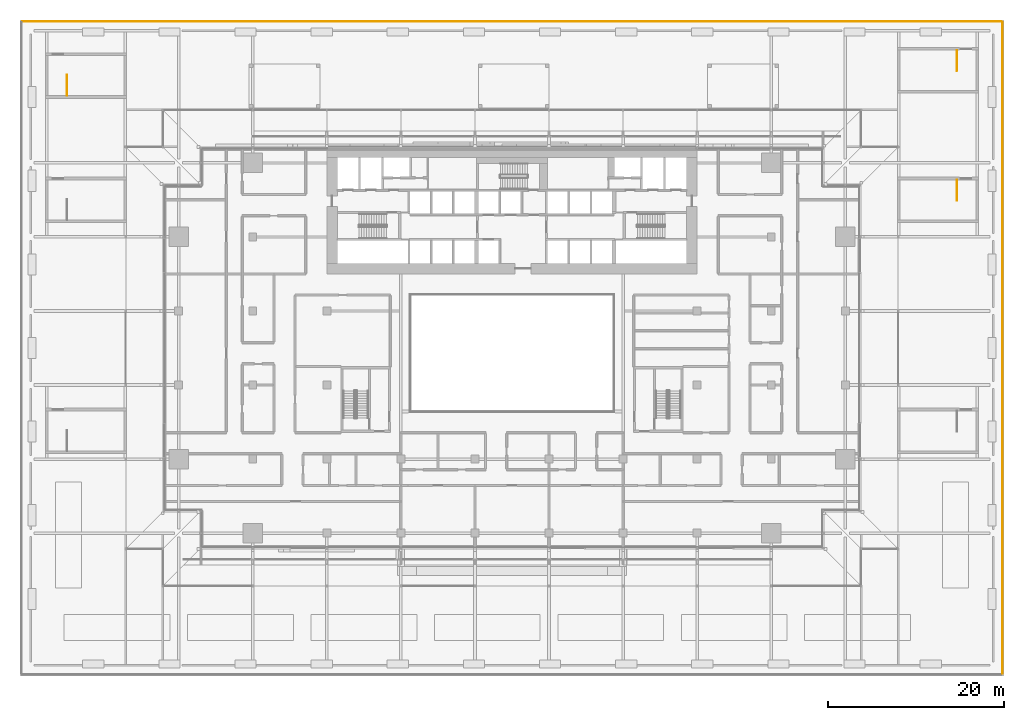
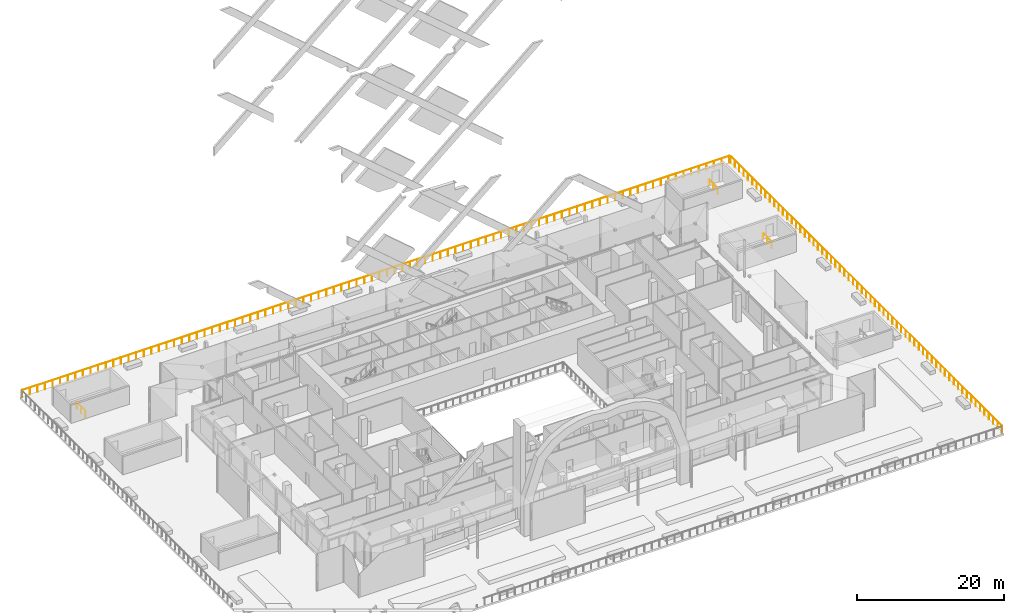
# One storey, part 59 of 60: 5 railings.
"""IFC4 building model written with IfcOpenShell, lengths in metres."""

from ifc_helpers import new_model, si_unit, direction, frame, origin, origin_2d, place, context, subcontext, project, spatial, circle, extrude, material, type_object, element, save


model = new_model("IFC4")

# Units and contexts
model_context = context("Model", 3, precision=1e-05, world=origin(), true_north=direction((0.0, 1.0)))
body_context = subcontext(model_context, "Body", "Model", "MODEL_VIEW")
ifc_project = project(units=[si_unit("LENGTHUNIT", "METRE"), si_unit("AREAUNIT", "SQUARE_METRE"), si_unit("VOLUMEUNIT", "CUBIC_METRE"), si_unit("PLANEANGLEUNIT", "RADIAN"), si_unit("MASSUNIT", "GRAM", prefix="KILO")], contexts=[model_context])

# Site, building, storey
site_placement = place(None, origin())
site = spatial("IfcSite", under=ifc_project, at=site_placement, CompositionType="ELEMENT")
building_placement = place(site_placement, origin())
building = spatial("IfcBuilding", under=site, at=building_placement, Name="Saffron Gate Tower", CompositionType="ELEMENT")
storey_placement = place(building_placement, frame((0.0, 0.0, 19.199951171875)))
storey = spatial("IfcBuildingStorey", under=building, at=storey_placement, Name="L03", CompositionType="ELEMENT", Elevation=19.199951171875)

# Railings
ifc_material = material(Name="Stainless steel and laminated glass", Category="steel")
railing_type = type_object("IfcRailingType", Name="CR1 Stair guard 1100", PredefinedType="GUARDRAIL", material=ifc_material)
railing_1_placement = place(storey_placement, frame((37.14990234375, 81.425048828125, 0.0)))
element("IfcRailing", 1, at=railing_1_placement, inside=storey, type_object=railing_type, Name="L03 ST-F top well guard 1", PredefinedType="GUARDRAIL", context=body_context, shape_type="SweptSolid", body=[
    extrude(circle(Radius=0.02392578125, at=origin_2d()), frame((0.0, 0.0, 1.076171875), z_axis=(0.0, 1.0, 0.0), x_axis=(-1.0, 0.0, 0.0)), (0.0, 0.0, 1.0), 2.349853515625),
    extrude(circle(Radius=0.02099609375, at=origin_2d()), origin(), (0.0, 0.0, 1.0), 1.052001953125),
    extrude(circle(Radius=0.02099609375, at=origin_2d()), frame((0.0, 1.1748046875, 0.0)), (0.0, 0.0, 1.0), 1.052001953125),
    extrude(circle(Radius=0.02099609375, at=origin_2d()), frame((0.0, 2.349853515625, 0.0)), (0.0, 0.0, 1.0), 1.052001953125),
])
railing_2_placement = place(storey_placement, frame((138.050048828125, 86.574951171875, 0.0)))
element("IfcRailing", 2, at=railing_2_placement, inside=storey, type_object=railing_type, Name="L03 ST-I top well guard 1", PredefinedType="GUARDRAIL", context=body_context, shape_type="SweptSolid", body=[
    extrude(circle(Radius=0.02392578125, at=origin_2d()), frame((0.0, 0.0, 1.076171875), z_axis=(0.0, -1.0, 0.0), x_axis=(1.0, 0.0, 0.0)), (0.0, 0.0, 1.0), 2.349853515625),
    extrude(circle(Radius=0.02099609375, at=origin_2d()), origin(), (0.0, 0.0, 1.0), 1.052001953125),
    extrude(circle(Radius=0.02099609375, at=origin_2d()), frame((0.0, -1.1748046875, 0.0)), (0.0, 0.0, 1.0), 1.052001953125),
    extrude(circle(Radius=0.02099609375, at=origin_2d()), frame((0.0, -2.349853515625, 0.0)), (0.0, 0.0, 1.0), 1.052001953125),
])
railing_3_placement = place(storey_placement, frame((138.050048828125, 71.875, 0.0)))
element("IfcRailing", 3, at=railing_3_placement, inside=storey, type_object=railing_type, Name="L03 ST-J top well guard 1", PredefinedType="GUARDRAIL", context=body_context, shape_type="SweptSolid", body=[
    extrude(circle(Radius=0.02392578125, at=origin_2d()), frame((0.0, 0.0, 1.076171875), z_axis=(0.0, -1.0, 0.0), x_axis=(1.0, 0.0, 0.0)), (0.0, 0.0, 1.0), 2.35009765625),
    extrude(circle(Radius=0.02099609375, at=origin_2d()), origin(), (0.0, 0.0, 1.0), 1.052001953125),
    extrude(circle(Radius=0.02099609375, at=origin_2d()), frame((0.0, -1.175048828125, 0.0)), (0.0, 0.0, 1.0), 1.052001953125),
    extrude(circle(Radius=0.02099609375, at=origin_2d()), frame((0.0, -2.35009765625, 0.0)), (0.0, 0.0, 1.0), 1.052001953125),
])
railing_4_placement = place(storey_placement, frame((143.25, 15.8701171875, 0.0)))
element("IfcRailing", 4, at=railing_4_placement, inside=storey, Name="GUARD play deck", PredefinedType="GUARDRAIL", context=body_context, shape_type="SweptSolid", body=[
    extrude(circle(Radius=0.02392578125, at=origin_2d()), frame((0.0, 0.0, 1.17578125), z_axis=(0.0, 1.0, 0.0), x_axis=(-1.0, 0.0, 0.0)), (0.0, 0.0, 1.0), 73.85986328125),
    extrude(circle(Radius=0.02099609375, at=origin_2d()), origin(), (0.0, 0.0, 1.0), 1.15185546875),
    extrude(circle(Radius=0.02099609375, at=origin_2d()), frame((0.0, 1.19140625, 0.0)), (0.0, 0.0, 1.0), 1.15185546875),
    extrude(circle(Radius=0.02099609375, at=origin_2d()), frame((0.0, 2.382568359375, 0.0)), (0.0, 0.0, 1.0), 1.15185546875),
    extrude(circle(Radius=0.02099609375, at=origin_2d()), frame((0.0, 3.573974609375, 0.0)), (0.0, 0.0, 1.0), 1.15185546875),
    extrude(circle(Radius=0.02099609375, at=origin_2d()), frame((0.0, 4.76513671875, 0.0)), (0.0, 0.0, 1.0), 1.15185546875),
    extrude(circle(Radius=0.02099609375, at=origin_2d()), frame((0.0, 5.95654296875, 0.0)), (0.0, 0.0, 1.0), 1.15185546875),
    extrude(circle(Radius=0.02099609375, at=origin_2d()), frame((0.0, 7.147705078125, 0.0)), (0.0, 0.0, 1.0), 1.15185546875),
    extrude(circle(Radius=0.02099609375, at=origin_2d()), frame((0.0, 8.339111328125, 0.0)), (0.0, 0.0, 1.0), 1.15185546875),
    extrude(circle(Radius=0.02099609375, at=origin_2d()), frame((0.0, 9.5302734375, 0.0)), (0.0, 0.0, 1.0), 1.15185546875),
    extrude(circle(Radius=0.02099609375, at=origin_2d()), frame((0.0, 10.7216796875, 0.0)), (0.0, 0.0, 1.0), 1.15185546875),
    extrude(circle(Radius=0.02099609375, at=origin_2d()), frame((0.0, 11.912841796875, 0.0)), (0.0, 0.0, 1.0), 1.15185546875),
    extrude(circle(Radius=0.02099609375, at=origin_2d()), frame((0.0, 13.104248046875, 0.0)), (0.0, 0.0, 1.0), 1.15185546875),
    extrude(circle(Radius=0.02099609375, at=origin_2d()), frame((0.0, 14.29541015625, 0.0)), (0.0, 0.0, 1.0), 1.15185546875),
    extrude(circle(Radius=0.02099609375, at=origin_2d()), frame((0.0, 15.48681640625, 0.0)), (0.0, 0.0, 1.0), 1.15185546875),
    extrude(circle(Radius=0.02099609375, at=origin_2d()), frame((0.0, 16.677978515625, 0.0)), (0.0, 0.0, 1.0), 1.15185546875),
    extrude(circle(Radius=0.02099609375, at=origin_2d()), frame((0.0, 17.869384765625, 0.0)), (0.0, 0.0, 1.0), 1.15185546875),
    extrude(circle(Radius=0.02099609375, at=origin_2d()), frame((0.0, 19.060546875, 0.0)), (0.0, 0.0, 1.0), 1.15185546875),
    extrude(circle(Radius=0.02099609375, at=origin_2d()), frame((0.0, 20.251953125, 0.0)), (0.0, 0.0, 1.0), 1.15185546875),
    extrude(circle(Radius=0.02099609375, at=origin_2d()), frame((0.0, 21.443115234375, 0.0)), (0.0, 0.0, 1.0), 1.15185546875),
    extrude(circle(Radius=0.02099609375, at=origin_2d()), frame((0.0, 22.634521484375, 0.0)), (0.0, 0.0, 1.0), 1.15185546875),
    extrude(circle(Radius=0.02099609375, at=origin_2d()), frame((0.0, 23.82568359375, 0.0)), (0.0, 0.0, 1.0), 1.15185546875),
    extrude(circle(Radius=0.02099609375, at=origin_2d()), frame((0.0, 25.01708984375, 0.0)), (0.0, 0.0, 1.0), 1.15185546875),
    extrude(circle(Radius=0.02099609375, at=origin_2d()), frame((0.0, 26.208251953125, 0.0)), (0.0, 0.0, 1.0), 1.15185546875),
    extrude(circle(Radius=0.02099609375, at=origin_2d()), frame((0.0, 27.399658203125, 0.0)), (0.0, 0.0, 1.0), 1.15185546875),
    extrude(circle(Radius=0.02099609375, at=origin_2d()), frame((0.0, 28.5908203125, 0.0)), (0.0, 0.0, 1.0), 1.15185546875),
    extrude(circle(Radius=0.02099609375, at=origin_2d()), frame((0.0, 29.7822265625, 0.0)), (0.0, 0.0, 1.0), 1.15185546875),
    extrude(circle(Radius=0.02099609375, at=origin_2d()), frame((0.0, 30.973388671875, 0.0)), (0.0, 0.0, 1.0), 1.15185546875),
    extrude(circle(Radius=0.02099609375, at=origin_2d()), frame((0.0, 32.164794921875, 0.0)), (0.0, 0.0, 1.0), 1.15185546875),
    extrude(circle(Radius=0.02099609375, at=origin_2d()), frame((0.0, 33.35595703125, 0.0)), (0.0, 0.0, 1.0), 1.15185546875),
    extrude(circle(Radius=0.02099609375, at=origin_2d()), frame((0.0, 34.54736328125, 0.0)), (0.0, 0.0, 1.0), 1.15185546875),
    extrude(circle(Radius=0.02099609375, at=origin_2d()), frame((0.0, 35.738525390625, 0.0)), (0.0, 0.0, 1.0), 1.15185546875),
    extrude(circle(Radius=0.02099609375, at=origin_2d()), frame((0.0, 36.929931640625, 0.0)), (0.0, 0.0, 1.0), 1.15185546875),
    extrude(circle(Radius=0.02099609375, at=origin_2d()), frame((0.0, 38.121337890625, 0.0)), (0.0, 0.0, 1.0), 1.15185546875),
    extrude(circle(Radius=0.02099609375, at=origin_2d()), frame((0.0, 39.3125, 0.0)), (0.0, 0.0, 1.0), 1.15185546875),
    extrude(circle(Radius=0.02099609375, at=origin_2d()), frame((0.0, 40.50390625, 0.0)), (0.0, 0.0, 1.0), 1.15185546875),
    extrude(circle(Radius=0.02099609375, at=origin_2d()), frame((0.0, 41.695068359375, 0.0)), (0.0, 0.0, 1.0), 1.15185546875),
    extrude(circle(Radius=0.02099609375, at=origin_2d()), frame((0.0, 42.886474609375, 0.0)), (0.0, 0.0, 1.0), 1.15185546875),
    extrude(circle(Radius=0.02099609375, at=origin_2d()), frame((0.0, 44.07763671875, 0.0)), (0.0, 0.0, 1.0), 1.15185546875),
    extrude(circle(Radius=0.02099609375, at=origin_2d()), frame((0.0, 45.26904296875, 0.0)), (0.0, 0.0, 1.0), 1.15185546875),
    extrude(circle(Radius=0.02099609375, at=origin_2d()), frame((0.0, 46.460205078125, 0.0)), (0.0, 0.0, 1.0), 1.15185546875),
    extrude(circle(Radius=0.02099609375, at=origin_2d()), frame((0.0, 47.651611328125, 0.0)), (0.0, 0.0, 1.0), 1.15185546875),
    extrude(circle(Radius=0.02099609375, at=origin_2d()), frame((0.0, 48.8427734375, 0.0)), (0.0, 0.0, 1.0), 1.15185546875),
    extrude(circle(Radius=0.02099609375, at=origin_2d()), frame((0.0, 50.0341796875, 0.0)), (0.0, 0.0, 1.0), 1.15185546875),
    extrude(circle(Radius=0.02099609375, at=origin_2d()), frame((0.0, 51.225341796875, 0.0)), (0.0, 0.0, 1.0), 1.15185546875),
    extrude(circle(Radius=0.02099609375, at=origin_2d()), frame((0.0, 52.416748046875, 0.0)), (0.0, 0.0, 1.0), 1.15185546875),
    extrude(circle(Radius=0.02099609375, at=origin_2d()), frame((0.0, 53.60791015625, 0.0)), (0.0, 0.0, 1.0), 1.15185546875),
    extrude(circle(Radius=0.02099609375, at=origin_2d()), frame((0.0, 54.79931640625, 0.0)), (0.0, 0.0, 1.0), 1.15185546875),
    extrude(circle(Radius=0.02099609375, at=origin_2d()), frame((0.0, 55.990478515625, 0.0)), (0.0, 0.0, 1.0), 1.15185546875),
    extrude(circle(Radius=0.02099609375, at=origin_2d()), frame((0.0, 57.181884765625, 0.0)), (0.0, 0.0, 1.0), 1.15185546875),
    extrude(circle(Radius=0.02099609375, at=origin_2d()), frame((0.0, 58.373046875, 0.0)), (0.0, 0.0, 1.0), 1.15185546875),
    extrude(circle(Radius=0.02099609375, at=origin_2d()), frame((0.0, 59.564453125, 0.0)), (0.0, 0.0, 1.0), 1.15185546875),
    extrude(circle(Radius=0.02099609375, at=origin_2d()), frame((0.0, 60.755615234375, 0.0)), (0.0, 0.0, 1.0), 1.15185546875),
    extrude(circle(Radius=0.02099609375, at=origin_2d()), frame((0.0, 61.947021484375, 0.0)), (0.0, 0.0, 1.0), 1.15185546875),
    extrude(circle(Radius=0.02099609375, at=origin_2d()), frame((0.0, 63.13818359375, 0.0)), (0.0, 0.0, 1.0), 1.15185546875),
    extrude(circle(Radius=0.02099609375, at=origin_2d()), frame((0.0, 64.32958984375, 0.0)), (0.0, 0.0, 1.0), 1.15185546875),
    extrude(circle(Radius=0.02099609375, at=origin_2d()), frame((0.0, 65.520751953125, 0.0)), (0.0, 0.0, 1.0), 1.15185546875),
    extrude(circle(Radius=0.02099609375, at=origin_2d()), frame((0.0, 66.712158203125, 0.0)), (0.0, 0.0, 1.0), 1.15185546875),
    extrude(circle(Radius=0.02099609375, at=origin_2d()), frame((0.0, 67.9033203125, 0.0)), (0.0, 0.0, 1.0), 1.15185546875),
    extrude(circle(Radius=0.02099609375, at=origin_2d()), frame((0.0, 69.0947265625, 0.0)), (0.0, 0.0, 1.0), 1.15185546875),
    extrude(circle(Radius=0.02099609375, at=origin_2d()), frame((0.0, 70.285888671875, 0.0)), (0.0, 0.0, 1.0), 1.15185546875),
    extrude(circle(Radius=0.02099609375, at=origin_2d()), frame((0.0, 71.477294921875, 0.0)), (0.0, 0.0, 1.0), 1.15185546875),
    extrude(circle(Radius=0.02099609375, at=origin_2d()), frame((0.0, 72.66845703125, 0.0)), (0.0, 0.0, 1.0), 1.15185546875),
    extrude(circle(Radius=0.02099609375, at=origin_2d()), frame((0.0, 73.85986328125, 0.0)), (0.0, 0.0, 1.0), 1.15185546875),
])
railing_5_placement = place(storey_placement, frame((143.1298828125, 89.85009765625, 0.0)))
element("IfcRailing", 5, at=railing_5_placement, inside=storey, Name="GUARD play deck", PredefinedType="GUARDRAIL", context=body_context, shape_type="SweptSolid", body=[
    extrude(circle(Radius=0.02392578125, at=origin_2d()), frame((0.0, 0.0, 1.17578125), z_axis=(-1.0, 0.0, 0.0), x_axis=(0.0, -1.0, 0.0)), (0.0, 0.0, 1.0), 111.059814453125),
    extrude(circle(Radius=0.02099609375, at=origin_2d()), origin(), (0.0, 0.0, 1.0), 1.15185546875),
    extrude(circle(Radius=0.02099609375, at=origin_2d()), frame((-1.194091796875, 0.0, 0.0)), (0.0, 0.0, 1.0), 1.15185546875),
    extrude(circle(Radius=0.02099609375, at=origin_2d()), frame((-2.388427734375, 0.0, 0.0)), (0.0, 0.0, 1.0), 1.15185546875),
    extrude(circle(Radius=0.02099609375, at=origin_2d()), frame((-3.58251953125, 0.0, 0.0)), (0.0, 0.0, 1.0), 1.15185546875),
    extrude(circle(Radius=0.02099609375, at=origin_2d()), frame((-4.77685546875, 0.0, 0.0)), (0.0, 0.0, 1.0), 1.15185546875),
    extrude(circle(Radius=0.02099609375, at=origin_2d()), frame((-5.970947265625, 0.0, 0.0)), (0.0, 0.0, 1.0), 1.15185546875),
    extrude(circle(Radius=0.02099609375, at=origin_2d()), frame((-7.1650390625, 0.0, 0.0)), (0.0, 0.0, 1.0), 1.15185546875),
    extrude(circle(Radius=0.02099609375, at=origin_2d()), frame((-8.359375, 0.0, 0.0)), (0.0, 0.0, 1.0), 1.15185546875),
    extrude(circle(Radius=0.02099609375, at=origin_2d()), frame((-9.553466796875, 0.0, 0.0)), (0.0, 0.0, 1.0), 1.15185546875),
    extrude(circle(Radius=0.02099609375, at=origin_2d()), frame((-10.747802734375, 0.0, 0.0)), (0.0, 0.0, 1.0), 1.15185546875),
    extrude(circle(Radius=0.02099609375, at=origin_2d()), frame((-11.94189453125, 0.0, 0.0)), (0.0, 0.0, 1.0), 1.15185546875),
    extrude(circle(Radius=0.02099609375, at=origin_2d()), frame((-13.135986328125, 0.0, 0.0)), (0.0, 0.0, 1.0), 1.15185546875),
    extrude(circle(Radius=0.02099609375, at=origin_2d()), frame((-14.330322265625, 0.0, 0.0)), (0.0, 0.0, 1.0), 1.15185546875),
    extrude(circle(Radius=0.02099609375, at=origin_2d()), frame((-15.5244140625, 0.0, 0.0)), (0.0, 0.0, 1.0), 1.15185546875),
    extrude(circle(Radius=0.02099609375, at=origin_2d()), frame((-16.71875, 0.0, 0.0)), (0.0, 0.0, 1.0), 1.15185546875),
    extrude(circle(Radius=0.02099609375, at=origin_2d()), frame((-17.912841796875, 0.0, 0.0)), (0.0, 0.0, 1.0), 1.15185546875),
    extrude(circle(Radius=0.02099609375, at=origin_2d()), frame((-19.107177734375, 0.0, 0.0)), (0.0, 0.0, 1.0), 1.15185546875),
    extrude(circle(Radius=0.02099609375, at=origin_2d()), frame((-20.30126953125, 0.0, 0.0)), (0.0, 0.0, 1.0), 1.15185546875),
    extrude(circle(Radius=0.02099609375, at=origin_2d()), frame((-21.495361328125, 0.0, 0.0)), (0.0, 0.0, 1.0), 1.15185546875),
    extrude(circle(Radius=0.02099609375, at=origin_2d()), frame((-22.689697265625, 0.0, 0.0)), (0.0, 0.0, 1.0), 1.15185546875),
    extrude(circle(Radius=0.02099609375, at=origin_2d()), frame((-23.8837890625, 0.0, 0.0)), (0.0, 0.0, 1.0), 1.15185546875),
    extrude(circle(Radius=0.02099609375, at=origin_2d()), frame((-25.078125, 0.0, 0.0)), (0.0, 0.0, 1.0), 1.15185546875),
    extrude(circle(Radius=0.02099609375, at=origin_2d()), frame((-26.272216796875, 0.0, 0.0)), (0.0, 0.0, 1.0), 1.15185546875),
    extrude(circle(Radius=0.02099609375, at=origin_2d()), frame((-27.46630859375, 0.0, 0.0)), (0.0, 0.0, 1.0), 1.15185546875),
    extrude(circle(Radius=0.02099609375, at=origin_2d()), frame((-28.66064453125, 0.0, 0.0)), (0.0, 0.0, 1.0), 1.15185546875),
    extrude(circle(Radius=0.02099609375, at=origin_2d()), frame((-29.854736328125, 0.0, 0.0)), (0.0, 0.0, 1.0), 1.15185546875),
    extrude(circle(Radius=0.02099609375, at=origin_2d()), frame((-31.049072265625, 0.0, 0.0)), (0.0, 0.0, 1.0), 1.15185546875),
    extrude(circle(Radius=0.02099609375, at=origin_2d()), frame((-32.2431640625, 0.0, 0.0)), (0.0, 0.0, 1.0), 1.15185546875),
    extrude(circle(Radius=0.02099609375, at=origin_2d()), frame((-33.437255859375, 0.0, 0.0)), (0.0, 0.0, 1.0), 1.15185546875),
    extrude(circle(Radius=0.02099609375, at=origin_2d()), frame((-34.631591796875, 0.0, 0.0)), (0.0, 0.0, 1.0), 1.15185546875),
    extrude(circle(Radius=0.02099609375, at=origin_2d()), frame((-35.82568359375, 0.0, 0.0)), (0.0, 0.0, 1.0), 1.15185546875),
    extrude(circle(Radius=0.02099609375, at=origin_2d()), frame((-37.02001953125, 0.0, 0.0)), (0.0, 0.0, 1.0), 1.15185546875),
    extrude(circle(Radius=0.02099609375, at=origin_2d()), frame((-38.214111328125, 0.0, 0.0)), (0.0, 0.0, 1.0), 1.15185546875),
    extrude(circle(Radius=0.02099609375, at=origin_2d()), frame((-39.408203125, 0.0, 0.0)), (0.0, 0.0, 1.0), 1.15185546875),
    extrude(circle(Radius=0.02099609375, at=origin_2d()), frame((-40.6025390625, 0.0, 0.0)), (0.0, 0.0, 1.0), 1.15185546875),
    extrude(circle(Radius=0.02099609375, at=origin_2d()), frame((-41.796630859375, 0.0, 0.0)), (0.0, 0.0, 1.0), 1.15185546875),
    extrude(circle(Radius=0.02099609375, at=origin_2d()), frame((-42.990966796875, 0.0, 0.0)), (0.0, 0.0, 1.0), 1.15185546875),
    extrude(circle(Radius=0.02099609375, at=origin_2d()), frame((-44.18505859375, 0.0, 0.0)), (0.0, 0.0, 1.0), 1.15185546875),
    extrude(circle(Radius=0.02099609375, at=origin_2d()), frame((-45.37939453125, 0.0, 0.0)), (0.0, 0.0, 1.0), 1.15185546875),
    extrude(circle(Radius=0.02099609375, at=origin_2d()), frame((-46.573486328125, 0.0, 0.0)), (0.0, 0.0, 1.0), 1.15185546875),
    extrude(circle(Radius=0.02099609375, at=origin_2d()), frame((-47.767578125, 0.0, 0.0)), (0.0, 0.0, 1.0), 1.15185546875),
    extrude(circle(Radius=0.02099609375, at=origin_2d()), frame((-48.9619140625, 0.0, 0.0)), (0.0, 0.0, 1.0), 1.15185546875),
    extrude(circle(Radius=0.02099609375, at=origin_2d()), frame((-50.156005859375, 0.0, 0.0)), (0.0, 0.0, 1.0), 1.15185546875),
    extrude(circle(Radius=0.02099609375, at=origin_2d()), frame((-51.350341796875, 0.0, 0.0)), (0.0, 0.0, 1.0), 1.15185546875),
    extrude(circle(Radius=0.02099609375, at=origin_2d()), frame((-52.54443359375, 0.0, 0.0)), (0.0, 0.0, 1.0), 1.15185546875),
    extrude(circle(Radius=0.02099609375, at=origin_2d()), frame((-53.738525390625, 0.0, 0.0)), (0.0, 0.0, 1.0), 1.15185546875),
    extrude(circle(Radius=0.02099609375, at=origin_2d()), frame((-54.932861328125, 0.0, 0.0)), (0.0, 0.0, 1.0), 1.15185546875),
    extrude(circle(Radius=0.02099609375, at=origin_2d()), frame((-56.126953125, 0.0, 0.0)), (0.0, 0.0, 1.0), 1.15185546875),
    extrude(circle(Radius=0.02099609375, at=origin_2d()), frame((-57.3212890625, 0.0, 0.0)), (0.0, 0.0, 1.0), 1.15185546875),
    extrude(circle(Radius=0.02099609375, at=origin_2d()), frame((-58.515380859375, 0.0, 0.0)), (0.0, 0.0, 1.0), 1.15185546875),
    extrude(circle(Radius=0.02099609375, at=origin_2d()), frame((-59.70947265625, 0.0, 0.0)), (0.0, 0.0, 1.0), 1.15185546875),
    extrude(circle(Radius=0.02099609375, at=origin_2d()), frame((-60.90380859375, 0.0, 0.0)), (0.0, 0.0, 1.0), 1.15185546875),
    extrude(circle(Radius=0.02099609375, at=origin_2d()), frame((-62.097900390625, 0.0, 0.0)), (0.0, 0.0, 1.0), 1.15185546875),
    extrude(circle(Radius=0.02099609375, at=origin_2d()), frame((-63.292236328125, 0.0, 0.0)), (0.0, 0.0, 1.0), 1.15185546875),
    extrude(circle(Radius=0.02099609375, at=origin_2d()), frame((-64.486328125, 0.0, 0.0)), (0.0, 0.0, 1.0), 1.15185546875),
    extrude(circle(Radius=0.02099609375, at=origin_2d()), frame((-65.680419921875, 0.0, 0.0)), (0.0, 0.0, 1.0), 1.15185546875),
    extrude(circle(Radius=0.02099609375, at=origin_2d()), frame((-66.874755859375, 0.0, 0.0)), (0.0, 0.0, 1.0), 1.15185546875),
    extrude(circle(Radius=0.02099609375, at=origin_2d()), frame((-68.06884765625, 0.0, 0.0)), (0.0, 0.0, 1.0), 1.15185546875),
    extrude(circle(Radius=0.02099609375, at=origin_2d()), frame((-69.26318359375, 0.0, 0.0)), (0.0, 0.0, 1.0), 1.15185546875),
    extrude(circle(Radius=0.02099609375, at=origin_2d()), frame((-70.457275390625, 0.0, 0.0)), (0.0, 0.0, 1.0), 1.15185546875),
    extrude(circle(Radius=0.02099609375, at=origin_2d()), frame((-71.651611328125, 0.0, 0.0)), (0.0, 0.0, 1.0), 1.15185546875),
    extrude(circle(Radius=0.02099609375, at=origin_2d()), frame((-72.845703125, 0.0, 0.0)), (0.0, 0.0, 1.0), 1.15185546875),
    extrude(circle(Radius=0.02099609375, at=origin_2d()), frame((-74.039794921875, 0.0, 0.0)), (0.0, 0.0, 1.0), 1.15185546875),
    extrude(circle(Radius=0.02099609375, at=origin_2d()), frame((-75.234130859375, 0.0, 0.0)), (0.0, 0.0, 1.0), 1.15185546875),
    extrude(circle(Radius=0.02099609375, at=origin_2d()), frame((-76.42822265625, 0.0, 0.0)), (0.0, 0.0, 1.0), 1.15185546875),
    extrude(circle(Radius=0.02099609375, at=origin_2d()), frame((-77.62255859375, 0.0, 0.0)), (0.0, 0.0, 1.0), 1.15185546875),
    extrude(circle(Radius=0.02099609375, at=origin_2d()), frame((-78.816650390625, 0.0, 0.0)), (0.0, 0.0, 1.0), 1.15185546875),
    extrude(circle(Radius=0.02099609375, at=origin_2d()), frame((-80.0107421875, 0.0, 0.0)), (0.0, 0.0, 1.0), 1.15185546875),
    extrude(circle(Radius=0.02099609375, at=origin_2d()), frame((-81.205078125, 0.0, 0.0)), (0.0, 0.0, 1.0), 1.15185546875),
    extrude(circle(Radius=0.02099609375, at=origin_2d()), frame((-82.399169921875, 0.0, 0.0)), (0.0, 0.0, 1.0), 1.15185546875),
    extrude(circle(Radius=0.02099609375, at=origin_2d()), frame((-83.593505859375, 0.0, 0.0)), (0.0, 0.0, 1.0), 1.15185546875),
    extrude(circle(Radius=0.02099609375, at=origin_2d()), frame((-84.78759765625, 0.0, 0.0)), (0.0, 0.0, 1.0), 1.15185546875),
    extrude(circle(Radius=0.02099609375, at=origin_2d()), frame((-85.981689453125, 0.0, 0.0)), (0.0, 0.0, 1.0), 1.15185546875),
    extrude(circle(Radius=0.02099609375, at=origin_2d()), frame((-87.176025390625, 0.0, 0.0)), (0.0, 0.0, 1.0), 1.15185546875),
    extrude(circle(Radius=0.02099609375, at=origin_2d()), frame((-88.3701171875, 0.0, 0.0)), (0.0, 0.0, 1.0), 1.15185546875),
    extrude(circle(Radius=0.02099609375, at=origin_2d()), frame((-89.564453125, 0.0, 0.0)), (0.0, 0.0, 1.0), 1.15185546875),
    extrude(circle(Radius=0.02099609375, at=origin_2d()), frame((-90.758544921875, 0.0, 0.0)), (0.0, 0.0, 1.0), 1.15185546875),
    extrude(circle(Radius=0.02099609375, at=origin_2d()), frame((-91.95263671875, 0.0, 0.0)), (0.0, 0.0, 1.0), 1.15185546875),
    extrude(circle(Radius=0.02099609375, at=origin_2d()), frame((-93.14697265625, 0.0, 0.0)), (0.0, 0.0, 1.0), 1.15185546875),
    extrude(circle(Radius=0.02099609375, at=origin_2d()), frame((-94.341064453125, 0.0, 0.0)), (0.0, 0.0, 1.0), 1.15185546875),
    extrude(circle(Radius=0.02099609375, at=origin_2d()), frame((-95.535400390625, 0.0, 0.0)), (0.0, 0.0, 1.0), 1.15185546875),
    extrude(circle(Radius=0.02099609375, at=origin_2d()), frame((-96.7294921875, 0.0, 0.0)), (0.0, 0.0, 1.0), 1.15185546875),
    extrude(circle(Radius=0.02099609375, at=origin_2d()), frame((-97.923828125, 0.0, 0.0)), (0.0, 0.0, 1.0), 1.15185546875),
    extrude(circle(Radius=0.02099609375, at=origin_2d()), frame((-99.117919921875, 0.0, 0.0)), (0.0, 0.0, 1.0), 1.15185546875),
    extrude(circle(Radius=0.02099609375, at=origin_2d()), frame((-100.31201171875, 0.0, 0.0)), (0.0, 0.0, 1.0), 1.15185546875),
    extrude(circle(Radius=0.02099609375, at=origin_2d()), frame((-101.50634765625, 0.0, 0.0)), (0.0, 0.0, 1.0), 1.15185546875),
    extrude(circle(Radius=0.02099609375, at=origin_2d()), frame((-102.700439453125, 0.0, 0.0)), (0.0, 0.0, 1.0), 1.15185546875),
    extrude(circle(Radius=0.02099609375, at=origin_2d()), frame((-103.894775390625, 0.0, 0.0)), (0.0, 0.0, 1.0), 1.15185546875),
    extrude(circle(Radius=0.02099609375, at=origin_2d()), frame((-105.0888671875, 0.0, 0.0)), (0.0, 0.0, 1.0), 1.15185546875),
    extrude(circle(Radius=0.02099609375, at=origin_2d()), frame((-106.282958984375, 0.0, 0.0)), (0.0, 0.0, 1.0), 1.15185546875),
    extrude(circle(Radius=0.02099609375, at=origin_2d()), frame((-107.477294921875, 0.0, 0.0)), (0.0, 0.0, 1.0), 1.15185546875),
    extrude(circle(Radius=0.02099609375, at=origin_2d()), frame((-108.67138671875, 0.0, 0.0)), (0.0, 0.0, 1.0), 1.15185546875),
    extrude(circle(Radius=0.02099609375, at=origin_2d()), frame((-109.86572265625, 0.0, 0.0)), (0.0, 0.0, 1.0), 1.15185546875),
    extrude(circle(Radius=0.02099609375, at=origin_2d()), frame((-111.059814453125, 0.0, 0.0)), (0.0, 0.0, 1.0), 1.15185546875),
])

save(model, "model.ifc")
